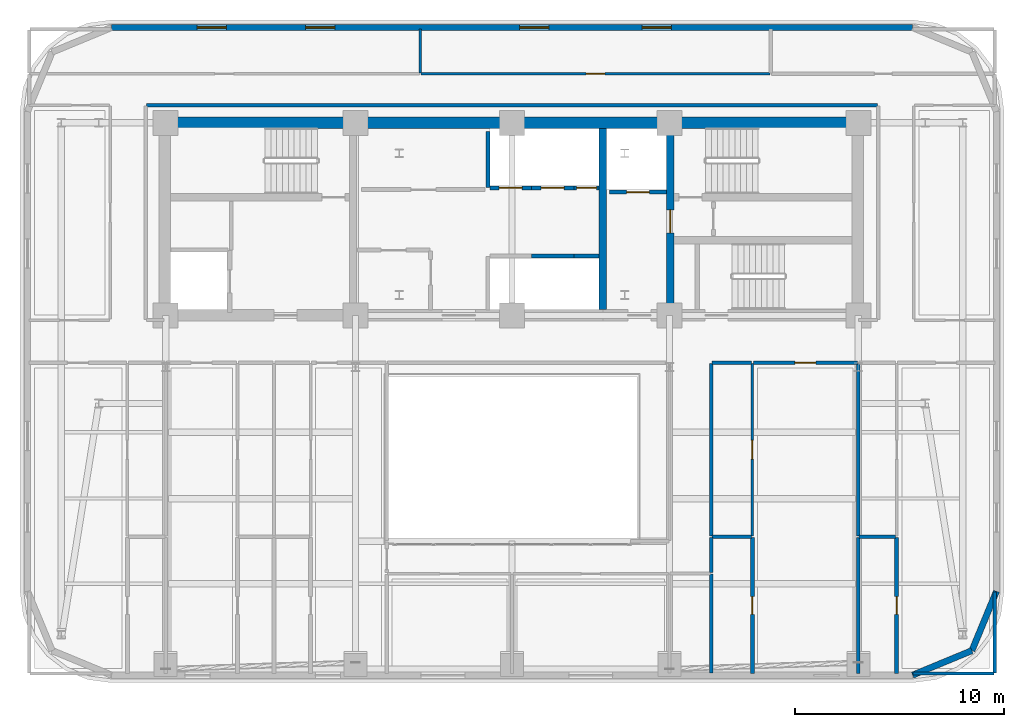
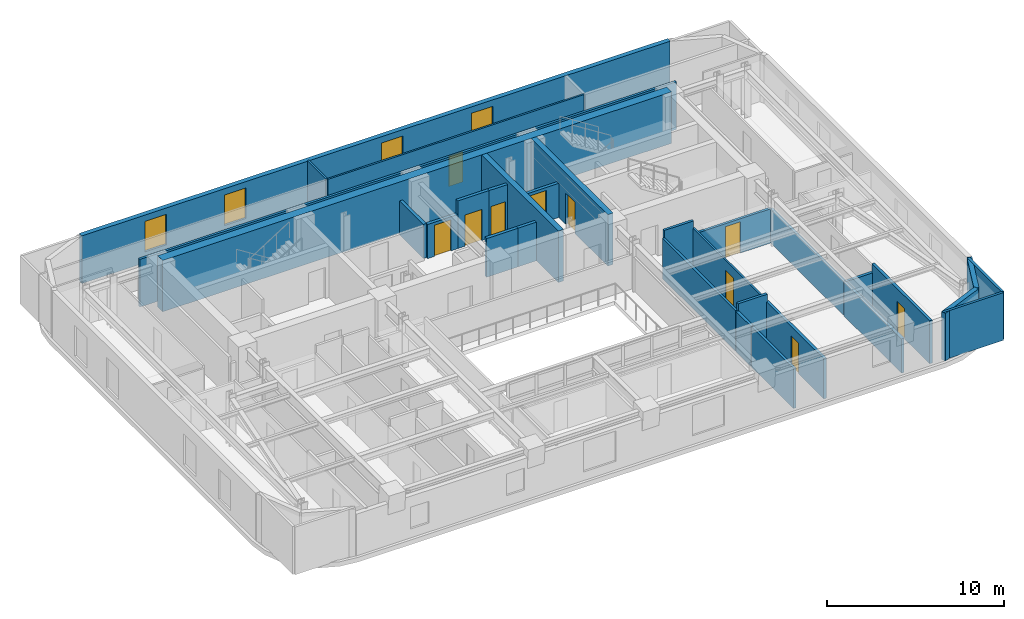
# One storey, part 7 of 12: 30 walls, 10 doors, 4 windows, 14 openings.
"""IFC4 building model written with IfcOpenShell, lengths in metres."""

from ifc_helpers import new_model, si_unit, direction, frame, frame_2d, origin, place, context, subcontext, project, spatial, rectangle, extrude, material, layer, layer_set, type_object, element, fill, save


model = new_model("IFC4")

# Units and contexts
model_context = context("Model", 3, precision=1e-05, world=origin(), true_north=direction((0.0, 1.0)))
body_context = subcontext(model_context, "Body", "Model", "MODEL_VIEW")
ifc_project = project(units=[si_unit("LENGTHUNIT", "METRE"), si_unit("AREAUNIT", "SQUARE_METRE"), si_unit("VOLUMEUNIT", "CUBIC_METRE"), si_unit("PLANEANGLEUNIT", "RADIAN"), si_unit("MASSUNIT", "GRAM", prefix="KILO")], contexts=[model_context])

# Site, building, storey
site_placement = place(None, origin())
site = spatial("IfcSite", under=ifc_project, at=site_placement, CompositionType="ELEMENT")
building_placement = place(site_placement, origin())
building = spatial("IfcBuilding", under=site, at=building_placement, Name="Zarnavel Station Tower", CompositionType="ELEMENT")
storey_placement = place(building_placement, frame((0.0, 0.0, 166.10009765625)))
storey = spatial("IfcBuildingStorey", under=building, at=storey_placement, Name="L45", CompositionType="ELEMENT", Elevation=166.10009765625)

# Wall
ifc_material_1 = material(Name="Concrete C50/60", Category="concrete")
ifc_layer_1 = layer(ifc_material_1, 0.35009765625)
ifc_layer_set_1 = layer_set([ifc_layer_1], Name="CW_350")
wall_type_1 = type_object("IfcWallType", Name="CW_350", PredefinedType="SHEAR", material=ifc_layer_set_1)
wall_1_placement = place(storey_placement, frame((33.14990234375, 28.094970703125, 0.0), z_axis=(0.0, 0.0, 1.0), x_axis=(0.0, 1.0, 0.0)))
element("IfcWall", 1, at=wall_1_placement, inside=storey, type_object=wall_type_1, Name="L45 Rear Core Shear Wall DIV-E", PredefinedType="SHEAR", context=body_context, shape_type="SweptSolid", body=[
    extrude(rectangle(XDim=8.679931640625, YDim=0.35009765625, at=frame_2d((4.33984375, 0.0))), origin(), (0.0, 0.0, 1.0), 3.5498046875),
])

# Wall, opening, door
wall_2_placement = place(storey_placement, frame((36.3798828125, 28.094970703125, 0.0), z_axis=(0.0, 0.0, 1.0), x_axis=(0.0, 1.0, 0.0)))
wall_2 = element("IfcWall", 2, at=wall_2_placement, inside=storey, type_object=wall_type_1, Name="L45 Rear Core Shear Wall DIV-S2", PredefinedType="SHEAR", context=body_context, shape_type="SweptSolid", body=[
    extrude(rectangle(XDim=8.679931640625, YDim=0.35009765625, at=frame_2d((4.33984375, 0.0))), origin(), (0.0, 0.0, 1.0), 3.5498046875),
])
opening_1_placement = place(wall_2_placement, frame((3.68505859375, 0.0, 0.0)))
opening_1 = element("IfcOpeningElement", 3, at=opening_1_placement, cuts=wall_2, Name="Opening FD01", PredefinedType="OPENING", context=body_context, shape_type="SweptSolid", body=[
    extrude(rectangle(XDim=1.10009765625, YDim=2.14990234375, at=frame_2d((0.550048828125, 1.074951171875))), frame((0.0, 0.18505859375, 0.0), z_axis=(0.0, -1.0, 0.0), x_axis=(1.0, 0.0, 0.0)), (0.0, 0.0, 1.0), 0.3701171875),
])
ifc_material_2 = material(Name="Painted Galvanised Steel and Hardwood Leaf", Category="steel")
door_type_1 = type_object("IfcDoorType", Name="ID_STAIR_1100", OperationType="NOTDEFINED", PredefinedType="DOOR", material=ifc_material_2)
door_1_placement = place(opening_1_placement, origin())
door_1 = element("IfcDoor", 4, at=door_1_placement, inside=storey, type_object=door_type_1, Name="L45 East Stair Vestibule Fire Door", OperationType="SINGLE_SWING_LEFT", OverallHeight=2.14990234375, OverallWidth=1.10009765625, PredefinedType="DOOR", context=body_context, shape_type="SweptSolid", body=[
    extrude(rectangle(XDim=1.10009765625, YDim=2.14990234375, at=frame_2d((0.550048828125, 1.074951171875))), frame((0.0, 0.02490234375, 0.0), z_axis=(0.0, -1.0, 0.0), x_axis=(1.0, 0.0, 0.0)), (0.0, 0.0, 1.0), 0.050048828125),
])
fill(opening_1, door_1)

# Walls
ifc_material_3 = material(Name="Concrete C50/60", Category="concrete")
ifc_layer_2 = layer(ifc_material_3, 0.550048828125)
ifc_layer_set_2 = layer_set([ifc_layer_2], Name="CW_550")
wall_type_2 = type_object("IfcWallType", Name="CW_550", PredefinedType="SHEAR", material=ifc_layer_set_2)
wall_3_placement = place(storey_placement, frame((12.14990234375, 37.050048828125, 0.0), z_axis=(0.0, 0.0, 1.0), x_axis=(1.0, 0.0, 0.0)))
element("IfcWall", 5, at=wall_3_placement, inside=storey, type_object=wall_type_2, Name="L45 Rear Core Shear Wall N", PredefinedType="SHEAR", context=body_context, shape_type="SweptSolid", body=[
    extrude(rectangle(XDim=33.22998046875, YDim=0.550048828125, at=frame_2d((16.614990234375, 0.0))), origin(), (0.0, 0.0, 1.0), 3.5498046875),
])
ifc_material_4 = material(Name="Precast concrete C45/55 (Dark Basalt Finish)", Category="masonry")
ifc_layer_3 = layer(ifc_material_4, 0.300048828125)
ifc_layer_set_3 = layer_set([ifc_layer_3], Name="EW_BASALT_300")
wall_type_3 = type_object("IfcWallType", Name="EW_BASALT_300", PredefinedType="SOLIDWALL", material=ifc_layer_set_3)
wall_4_placement = place(storey_placement, frame((50.842529296875, 11.75732421875, 0.0), z_axis=(0.0, 0.0, 1.0), x_axis=(-0.92389884758, -0.382636798336, 0.0)))
element("IfcWall", 6, at=wall_4_placement, inside=storey, type_object=wall_type_3, Name="L45 Exterior Basalt Masonry Frame Wall 01", PredefinedType="SOLIDWALL", context=body_context, shape_type="SweptSolid", body=[
    extrude(rectangle(XDim=3.07666015625, YDim=0.300048828125, at=frame_2d((1.538330078125, 0.0))), origin(), (0.0, 0.0, 1.0), 3.289794921875),
])
wall_5_placement = place(storey_placement, frame((52.02001953125, 14.60009765625, 0.0), z_axis=(0.0, 0.0, 1.0), x_axis=(-0.382676475685, -0.923882414032, 0.0)))
element("IfcWall", 7, at=wall_5_placement, inside=storey, type_object=wall_type_3, Name="L45 Exterior Basalt Masonry Frame Wall 02", PredefinedType="SOLIDWALL", context=body_context, shape_type="SweptSolid", body=[
    extrude(rectangle(XDim=3.076904296875, YDim=0.300048828125, at=frame_2d((1.53857421875, 0.0))), origin(), (0.0, 0.0, 1.0), 3.289794921875),
])

# Wall, openings, windows
wall_6_placement = place(storey_placement, frame((9.60009765625, 41.6201171875, 0.0), z_axis=(0.0, 0.0, 1.0), x_axis=(1.0, 0.0, 0.0)))
wall_6 = element("IfcWall", 8, at=wall_6_placement, inside=storey, type_object=wall_type_3, Name="L45 Exterior Basalt Masonry Frame Wall 06", PredefinedType="SOLIDWALL", context=body_context, shape_type="SweptSolid", body=[
    extrude(rectangle(XDim=38.39990234375, YDim=0.300048828125, at=frame_2d((19.199951171875, 0.0))), origin(), (0.0, 0.0, 1.0), 3.289794921875),
])
opening_2_placement = place(wall_6_placement, frame((4.11328125, 0.0, 0.75)))
opening_2 = element("IfcOpeningElement", 9, at=opening_2_placement, cuts=wall_6, Name="Opening WN04", PredefinedType="OPENING", context=body_context, shape_type="SweptSolid", body=[
    extrude(rectangle(XDim=1.39990234375, YDim=2.10009765625, at=frame_2d((0.699951171875, 1.050048828125))), frame((0.0, 0.159912109375, 0.0), z_axis=(0.0, -1.0, 0.0), x_axis=(1.0, 0.0, 0.0)), (0.0, 0.0, 1.0), 0.320068359375),
])
opening_3_placement = place(wall_6_placement, frame((9.306640625, 0.0, 0.75)))
opening_3 = element("IfcOpeningElement", 10, at=opening_3_placement, cuts=wall_6, Name="Opening WN04", PredefinedType="OPENING", context=body_context, shape_type="SweptSolid", body=[
    extrude(rectangle(XDim=1.39990234375, YDim=2.10009765625, at=frame_2d((0.699951171875, 1.050048828125))), frame((0.0, 0.159912109375, 0.0), z_axis=(0.0, -1.0, 0.0), x_axis=(1.0, 0.0, 0.0)), (0.0, 0.0, 1.0), 0.320068359375),
])
opening_4_placement = place(wall_6_placement, frame((19.566650390625, 0.0, 0.75)))
opening_4 = element("IfcOpeningElement", 11, at=opening_4_placement, cuts=wall_6, Name="Opening WN04", PredefinedType="OPENING", context=body_context, shape_type="SweptSolid", body=[
    extrude(rectangle(XDim=1.39990234375, YDim=2.10009765625, at=frame_2d((0.699951171875, 1.050048828125))), frame((0.0, 0.159912109375, 0.0), z_axis=(0.0, -1.0, 0.0), x_axis=(1.0, 0.0, 0.0)), (0.0, 0.0, 1.0), 0.320068359375),
])
opening_5_placement = place(wall_6_placement, frame((25.433349609375, 0.0, 0.75)))
opening_5 = element("IfcOpeningElement", 12, at=opening_5_placement, cuts=wall_6, Name="Opening WN04", PredefinedType="OPENING", context=body_context, shape_type="SweptSolid", body=[
    extrude(rectangle(XDim=1.39990234375, YDim=2.10009765625, at=frame_2d((0.699951171875, 1.050048828125))), frame((0.0, 0.159912109375, 0.0), z_axis=(0.0, -1.0, 0.0), x_axis=(1.0, 0.0, 0.0)), (0.0, 0.0, 1.0), 0.320068359375),
])
ifc_material_5 = material(Name="Thermally Broken Black Aluminium and Low-E Dark Glass", Category="aluminium")
window_type = type_object("IfcWindowType", Name="WN_1400x2100", PartitioningType="DOUBLE_PANEL_VERTICAL", PredefinedType="WINDOW", material=ifc_material_5)
window_1_placement = place(opening_2_placement, origin())
window_1 = element("IfcWindow", 13, at=window_1_placement, inside=storey, type_object=window_type, Name="L45 Recessed Facade Window 01", OverallHeight=2.10009765625, OverallWidth=1.39990234375, PartitioningType="SINGLE_PANEL", PredefinedType="WINDOW", context=body_context, shape_type="SweptSolid", body=[
    extrude(rectangle(XDim=1.39990234375, YDim=2.10009765625, at=frame_2d((0.699951171875, 1.050048828125))), frame((0.0, 0.030029296875, 0.0), z_axis=(0.0, -1.0, 0.0), x_axis=(1.0, 0.0, 0.0)), (0.0, 0.0, 1.0), 0.06005859375),
])
fill(opening_2, window_1)
window_2_placement = place(opening_3_placement, origin())
window_2 = element("IfcWindow", 14, at=window_2_placement, inside=storey, type_object=window_type, Name="L45 Recessed Facade Window 02", OverallHeight=2.10009765625, OverallWidth=1.39990234375, PartitioningType="SINGLE_PANEL", PredefinedType="WINDOW", context=body_context, shape_type="SweptSolid", body=[
    extrude(rectangle(XDim=1.39990234375, YDim=2.10009765625, at=frame_2d((0.699951171875, 1.050048828125))), frame((0.0, 0.030029296875, 0.0), z_axis=(0.0, -1.0, 0.0), x_axis=(1.0, 0.0, 0.0)), (0.0, 0.0, 1.0), 0.06005859375),
])
fill(opening_3, window_2)
window_3_placement = place(opening_4_placement, origin())
window_3 = element("IfcWindow", 15, at=window_3_placement, inside=storey, type_object=window_type, Name="L45 Recessed Facade Window 03", OverallHeight=2.10009765625, OverallWidth=1.39990234375, PartitioningType="SINGLE_PANEL", PredefinedType="WINDOW", context=body_context, shape_type="SweptSolid", body=[
    extrude(rectangle(XDim=1.39990234375, YDim=2.10009765625, at=frame_2d((0.699951171875, 1.050048828125))), frame((0.0, 0.030029296875, 0.0), z_axis=(0.0, -1.0, 0.0), x_axis=(1.0, 0.0, 0.0)), (0.0, 0.0, 1.0), 0.06005859375),
])
fill(opening_4, window_3)
window_4_placement = place(opening_5_placement, origin())
window_4 = element("IfcWindow", 16, at=window_4_placement, inside=storey, type_object=window_type, Name="L45 Recessed Facade Window 04", OverallHeight=2.10009765625, OverallWidth=1.39990234375, PartitioningType="SINGLE_PANEL", PredefinedType="WINDOW", context=body_context, shape_type="SweptSolid", body=[
    extrude(rectangle(XDim=1.39990234375, YDim=2.10009765625, at=frame_2d((0.699951171875, 1.050048828125))), frame((0.0, 0.030029296875, 0.0), z_axis=(0.0, -1.0, 0.0), x_axis=(1.0, 0.0, 0.0)), (0.0, 0.0, 1.0), 0.06005859375),
])
fill(opening_5, window_4)

# Wall, opening, door
ifc_material_6 = material(Name="Gypsum Twin-Stud Acoustic Fire Partition", Category="concrete")
ifc_layer_4 = layer(ifc_material_6, 0.159912109375)
ifc_layer_set_4 = layer_set([ifc_layer_4], Name="PT_DEMISE_160")
wall_type_4 = type_object("IfcWallType", Name="PT_DEMISE_160", PredefinedType="PARTITIONING", material=ifc_layer_set_4)
wall_7_placement = place(storey_placement, frame((40.364013671875, 25.550048828125, 0.0), z_axis=(0.0, 0.0, 1.0), x_axis=(1.0, 0.0, 0.0)))
wall_7 = element("IfcWall", 17, at=wall_7_placement, inside=storey, type_object=wall_type_4, Name="L45 Partition COR-S-HE1R", PredefinedType="PARTITIONING", context=body_context, shape_type="SweptSolid", body=[
    extrude(rectangle(XDim=4.99609375, YDim=0.159912109375, at=frame_2d((2.498046875, 0.0))), origin(), (0.0, 0.0, 1.0), 2.35986328125),
])
opening_6_placement = place(wall_7_placement, frame((1.998046875, 0.0, 0.0)))
opening_6 = element("IfcOpeningElement", 18, at=opening_6_placement, cuts=wall_7, Name="Opening FD02", PredefinedType="OPENING", context=body_context, shape_type="SweptSolid", body=[
    extrude(rectangle(XDim=1.0, YDim=2.14990234375, at=frame_2d((0.5, 1.074951171875))), frame((0.0, 0.08984375, 0.0), z_axis=(0.0, -1.0, 0.0), x_axis=(1.0, 0.0, 0.0)), (0.0, 0.0, 1.0), 0.179931640625),
])
ifc_material_7 = material(Name="Painted Galvanised Steel and Hardwood Leaf", Category="steel")
door_type_2 = type_object("IfcDoorType", Name="ID_ENTRY_1000", OperationType="NOTDEFINED", PredefinedType="DOOR", material=ifc_material_7)
door_2_placement = place(opening_6_placement, origin())
door_2 = element("IfcDoor", 19, at=door_2_placement, inside=storey, type_object=door_type_2, Name="L45 Door COR-S-HE1R", OperationType="SINGLE_SWING_RIGHT", OverallHeight=2.14990234375, OverallWidth=1.0, PredefinedType="DOOR", context=body_context, shape_type="SweptSolid", body=[
    extrude(rectangle(XDim=1.0, YDim=2.14990234375, at=frame_2d((0.5, 1.074951171875))), frame((0.0, 0.02490234375, 0.0), z_axis=(0.0, -1.0, 0.0), x_axis=(1.0, 0.0, 0.0)), (0.0, 0.0, 1.0), 0.050048828125),
])
fill(opening_6, door_2)

# Walls
wall_8_placement = place(storey_placement, frame((38.389892578125, 25.550048828125, 0.0), z_axis=(0.0, 0.0, 1.0), x_axis=(1.0, 0.0, 0.0)))
element("IfcWall", 20, at=wall_8_placement, inside=storey, type_object=wall_type_4, Name="L45 Partition COR-S-HE1S", PredefinedType="PARTITIONING", context=body_context, shape_type="SweptSolid", body=[
    extrude(rectangle(XDim=1.89404296875, YDim=0.159912109375, at=frame_2d((0.947021484375, 0.0))), origin(), (0.0, 0.0, 1.0), 3.289794921875),
])
wall_9_placement = place(storey_placement, frame((38.35009765625, 17.251953125, 0.0), z_axis=(0.0, 0.0, 1.0), x_axis=(0.0, 1.0, 0.0)))
element("IfcWall", 21, at=wall_9_placement, inside=storey, type_object=wall_type_4, Name="L45 Partition COR-AE-HE1S", PredefinedType="PARTITIONING", context=body_context, shape_type="SweptSolid", body=[
    extrude(rectangle(XDim=8.258056640625, YDim=0.159912109375, at=frame_2d((4.12890625, 0.0))), origin(), (0.0, 0.0, 1.0), 2.77978515625),
])
wall_10_placement = place(storey_placement, frame((45.39990234375, 17.251953125, 0.0), z_axis=(0.0, 0.0, 1.0), x_axis=(0.0, 1.0, 0.0)))
element("IfcWall", 22, at=wall_10_placement, inside=storey, type_object=wall_type_4, Name="L45 Partition HE1R-HE2S", PredefinedType="PARTITIONING", context=body_context, shape_type="SweptSolid", body=[
    extrude(rectangle(XDim=8.258056640625, YDim=0.159912109375, at=frame_2d((4.12890625, 0.0))), origin(), (0.0, 0.0, 1.0), 2.35986328125),
])
wall_11_placement = place(storey_placement, frame((11.280029296875, 37.89990234375, 0.0), z_axis=(0.0, 0.0, 1.0), x_axis=(1.0, 0.0, 0.0)))
element("IfcWall", 23, at=wall_11_placement, inside=storey, type_object=wall_type_4, Name="L45 Enclosure Wall COR-N", PredefinedType="PARTITIONING", context=body_context, shape_type="SweptSolid", body=[
    extrude(rectangle(XDim=35.0400390625, YDim=0.159912109375, at=frame_2d((17.52001953125, 0.0))), origin(), (0.0, 0.0, 1.0), 3.289794921875),
])
wall_12_placement = place(storey_placement, frame((38.35009765625, 10.68994140625, 0.0), z_axis=(0.0, 0.0, 1.0), x_axis=(0.0, 1.0, 0.0)))
element("IfcWall", 24, at=wall_12_placement, inside=storey, type_object=wall_type_4, Name="L45 Enclosure Wall HE1B", PredefinedType="PARTITIONING", context=body_context, shape_type="SweptSolid", body=[
    extrude(rectangle(XDim=4.72998046875, YDim=0.159912109375, at=frame_2d((2.364990234375, 0.0))), origin(), (0.0, 0.0, 1.0), 2.77978515625),
])
wall_13_placement = place(storey_placement, frame((48.030029296875, 10.659912109375, 0.0), z_axis=(0.0, 0.0, 1.0), x_axis=(1.0, 0.0, 0.0)))
element("IfcWall", 25, at=wall_13_placement, inside=storey, type_object=wall_type_4, Name="L45 Enclosure Wall HE2R", PredefinedType="PARTITIONING", context=body_context, shape_type="SweptSolid", body=[
    extrude(rectangle(XDim=3.8798828125, YDim=0.159912109375, at=frame_2d((1.93994140625, 0.0))), origin(), (0.0, 0.0, 1.0), 3.289794921875),
])
wall_14_placement = place(storey_placement, frame((51.93994140625, 10.68994140625, 0.0), z_axis=(0.0, 0.0, 1.0), x_axis=(0.0, 1.0, 0.0)))
element("IfcWall", 26, at=wall_14_placement, inside=storey, type_object=wall_type_4, Name="L45 Enclosure Wall HE2R", PredefinedType="PARTITIONING", context=body_context, shape_type="SweptSolid", body=[
    extrude(rectangle(XDim=3.880126953125, YDim=0.159912109375, at=frame_2d((1.93994140625, 0.0))), origin(), (0.0, 0.0, 1.0), 3.289794921875),
])

# Wall, opening, door
ifc_material_8 = material(Name="Gypsum Metal-Stud Interior Partition", Category="concrete")
ifc_layer_5 = layer(ifc_material_8, 0.1201171875)
ifc_layer_set_5 = layer_set([ifc_layer_5], Name="PT_ROOM_120")
wall_type_5 = type_object("IfcWallType", Name="PT_ROOM_120", PredefinedType="PARTITIONING", material=ifc_layer_set_5)
wall_15_placement = place(storey_placement, frame((24.43994140625, 39.39990234375, 0.0), z_axis=(0.0, 0.0, 1.0), x_axis=(1.0, 0.0, 0.0)))
wall_15 = element("IfcWall", 27, at=wall_15_placement, inside=storey, type_object=wall_type_5, Name="L45 Partition COR-N-NSPA", PredefinedType="PARTITIONING", context=body_context, shape_type="SweptSolid", body=[
    extrude(rectangle(XDim=16.719970703125, YDim=0.1201171875, at=frame_2d((8.35986328125, 0.0))), origin(), (0.0, 0.0, 1.0), 3.289794921875),
])
opening_7_placement = place(wall_15_placement, frame((7.909912109375, 0.0, 0.0)))
opening_7 = element("IfcOpeningElement", 28, at=opening_7_placement, cuts=wall_15, Name="Opening ID01", PredefinedType="OPENING", context=body_context, shape_type="SweptSolid", body=[
    extrude(rectangle(XDim=0.89990234375, YDim=2.10009765625, at=frame_2d((0.449951171875, 1.050048828125))), frame((0.0, 0.070068359375, 0.0), z_axis=(0.0, -1.0, 0.0), x_axis=(1.0, 0.0, 0.0)), (0.0, 0.0, 1.0), 0.14013671875),
])
ifc_material_9 = material(Name="Painted Galvanised Steel and Hardwood Leaf", Category="steel")
door_type_3 = type_object("IfcDoorType", Name="ID_ROOM_900", OperationType="NOTDEFINED", PredefinedType="DOOR", material=ifc_material_9)
door_3_placement = place(opening_7_placement, origin())
door_3 = element("IfcDoor", 29, at=door_3_placement, inside=storey, type_object=door_type_3, Name="L45 Door COR-N-NSPA", OperationType="SINGLE_SWING_LEFT", OverallHeight=2.10009765625, OverallWidth=0.89990234375, PredefinedType="DOOR", context=body_context, shape_type="SweptSolid", body=[
    extrude(rectangle(XDim=0.89990234375, YDim=2.10009765625, at=frame_2d((0.449951171875, 1.050048828125))), frame((0.0, 0.02490234375, 0.0), z_axis=(0.0, -1.0, 0.0), x_axis=(1.0, 0.0, 0.0)), (0.0, 0.0, 1.0), 0.050048828125),
])
fill(opening_7, door_3)

# Wall
wall_16_placement = place(storey_placement, frame((24.39990234375, 39.43994140625, 0.0), z_axis=(0.0, 0.0, 1.0), x_axis=(0.0, 1.0, 0.0)))
element("IfcWall", 30, at=wall_16_placement, inside=storey, type_object=wall_type_5, Name="L45 Partition NLIB-NSPA", PredefinedType="PARTITIONING", context=body_context, shape_type="SweptSolid", body=[
    extrude(rectangle(XDim=2.10009765625, YDim=0.1201171875, at=frame_2d((1.050048828125, 0.0))), origin(), (0.0, 0.0, 1.0), 3.289794921875),
])

# Wall, opening, door
wall_17_placement = place(storey_placement, frame((40.323974609375, 17.251953125, 0.0), z_axis=(0.0, 0.0, 1.0), x_axis=(0.0, 1.0, 0.0)))
wall_17 = element("IfcWall", 31, at=wall_17_placement, inside=storey, type_object=wall_type_5, Name="L45 Partition HE1R-HE1S", PredefinedType="PARTITIONING", context=body_context, shape_type="SweptSolid", body=[
    extrude(rectangle(XDim=8.258056640625, YDim=0.1201171875, at=frame_2d((4.12890625, 0.0))), origin(), (0.0, 0.0, 1.0), 2.77978515625),
])
opening_8_placement = place(wall_17_placement, frame((3.678955078125, 0.0, 0.0)))
opening_8 = element("IfcOpeningElement", 32, at=opening_8_placement, cuts=wall_17, Name="Opening ID01", PredefinedType="OPENING", context=body_context, shape_type="SweptSolid", body=[
    extrude(rectangle(XDim=0.89990234375, YDim=2.10009765625, at=frame_2d((0.449951171875, 1.050048828125))), frame((0.0, 0.070068359375, 0.0), z_axis=(0.0, -1.0, 0.0), x_axis=(1.0, 0.0, 0.0)), (0.0, 0.0, 1.0), 0.14013671875),
])
door_4_placement = place(opening_8_placement, origin())
door_4 = element("IfcDoor", 33, at=door_4_placement, inside=storey, type_object=door_type_3, Name="L45 Door HE1R-HE1S", OperationType="SINGLE_SWING_LEFT", OverallHeight=2.10009765625, OverallWidth=0.89990234375, PredefinedType="DOOR", context=body_context, shape_type="SweptSolid", body=[
    extrude(rectangle(XDim=0.89990234375, YDim=2.10009765625, at=frame_2d((0.449951171875, 1.050048828125))), frame((0.0, 0.02490234375, 0.0), z_axis=(0.0, -1.0, 0.0), x_axis=(1.0, 0.0, 0.0)), (0.0, 0.0, 1.0), 0.050048828125),
])
fill(opening_8, door_4)

ifc_material_10 = material(Name="Precast concrete C45/55 (Fire Shaft Blockwork)", Category="masonry")
ifc_layer_6 = layer(ifc_material_10, 0.199951171875)
ifc_layer_set_6 = layer_set([ifc_layer_6], Name="PT_SHAFT_200")
wall_type_6 = type_object("IfcWallType", Name="PT_SHAFT_200", PredefinedType="PARTITIONING", material=ifc_layer_set_6)
wall_18_placement = place(storey_placement, frame((33.47509765625, 33.72998046875, 0.0), z_axis=(0.0, 0.0, 1.0), x_axis=(1.0, 0.0, 0.0)))
wall_18 = element("IfcWall", 34, at=wall_18_placement, inside=storey, type_object=wall_type_6, Name="L45 Lift FFL-02 Shaft Front Wall", PredefinedType="PARTITIONING", context=body_context, shape_type="SweptSolid", body=[
    extrude(rectangle(XDim=2.724853515625, YDim=0.199951171875, at=frame_2d((1.3623046875, 0.0))), origin(), (0.0, 0.0, 1.0), 2.35986328125),
])
opening_9_placement = place(wall_18_placement, frame((0.8125, 0.0, 0.0)))
opening_9 = element("IfcOpeningElement", 35, at=opening_9_placement, cuts=wall_18, Name="Opening LD01", PredefinedType="OPENING", context=body_context, shape_type="SweptSolid", body=[
    extrude(rectangle(XDim=1.10009765625, YDim=2.14990234375, at=frame_2d((0.550048828125, 1.074951171875))), frame((0.0, 0.10986328125, 0.0), z_axis=(0.0, -1.0, 0.0), x_axis=(1.0, 0.0, 0.0)), (0.0, 0.0, 1.0), 0.219970703125),
])
ifc_material_11 = material(Name="Painted Galvanised Steel and Hardwood Leaf", Category="steel")
door_type_4 = type_object("IfcDoorType", Name="LD_FF_1100", OperationType="DOUBLE_DOOR_SLIDING", PredefinedType="DOOR", material=ifc_material_11)
door_5_placement = place(opening_9_placement, origin())
door_5 = element("IfcDoor", 36, at=door_5_placement, inside=storey, type_object=door_type_4, Name="L45 Lift FFL-02 Sliding Landing Door", OperationType="DOUBLE_DOOR_SLIDING", OverallHeight=2.14990234375, OverallWidth=1.10009765625, PredefinedType="DOOR", context=body_context, shape_type="SweptSolid", body=[
    extrude(rectangle(XDim=1.10009765625, YDim=2.14990234375, at=frame_2d((0.550048828125, 1.074951171875))), frame((0.0, 0.02490234375, 0.0), z_axis=(0.0, -1.0, 0.0), x_axis=(1.0, 0.0, 0.0)), (0.0, 0.0, 1.0), 0.050048828125),
])
fill(opening_9, door_5)

# Walls
wall_19_placement = place(storey_placement, frame((29.72509765625, 30.669921875, 0.0), z_axis=(0.0, 0.0, 1.0), x_axis=(1.0, 0.0, 0.0)))
element("IfcWall", 37, at=wall_19_placement, inside=storey, type_object=wall_type_6, Name="L45 Lift PL-H2 Shaft Front Wall", PredefinedType="PARTITIONING", context=body_context, shape_type="SweptSolid", body=[
    extrude(rectangle(XDim=2.0498046875, YDim=0.199951171875, at=frame_2d((1.02490234375, 0.0))), origin(), (0.0, 0.0, 1.0), 2.669921875),
])
wall_20_placement = place(storey_placement, frame((31.77490234375, 30.669921875, 0.0), z_axis=(0.0, 0.0, 1.0), x_axis=(1.0, 0.0, 0.0)))
element("IfcWall", 38, at=wall_20_placement, inside=storey, type_object=wall_type_6, Name="L45 Lift PL-H3 Shaft Front Wall", PredefinedType="PARTITIONING", context=body_context, shape_type="SweptSolid", body=[
    extrude(rectangle(XDim=1.2001953125, YDim=0.199951171875, at=frame_2d((0.60009765625, 0.0))), origin(), (0.0, 0.0, 1.0), 2.669921875),
])

# Wall, opening, door
wall_21_placement = place(storey_placement, frame((27.75, 33.929931640625, 0.0), z_axis=(0.0, 0.0, 1.0), x_axis=(1.0, 0.0, 0.0)))
wall_21 = element("IfcWall", 39, at=wall_21_placement, inside=storey, type_object=wall_type_6, Name="L45 Lift PL-M1 Shaft Front Wall", PredefinedType="PARTITIONING", context=body_context, shape_type="SweptSolid", body=[
    extrude(rectangle(XDim=1.97509765625, YDim=0.199951171875, at=frame_2d((0.987548828125, 0.0))), origin(), (0.0, 0.0, 1.0), 2.35986328125),
])
opening_10_placement = place(wall_21_placement, frame((0.4375, 0.0, 0.0)))
opening_10 = element("IfcOpeningElement", 40, at=opening_10_placement, cuts=wall_21, Name="Opening LD02", PredefinedType="OPENING", context=body_context, shape_type="SweptSolid", body=[
    extrude(rectangle(XDim=1.10009765625, YDim=2.14990234375, at=frame_2d((0.550048828125, 1.074951171875))), frame((0.0, 0.10986328125, 0.0), z_axis=(0.0, -1.0, 0.0), x_axis=(1.0, 0.0, 0.0)), (0.0, 0.0, 1.0), 0.219970703125),
])
ifc_material_12 = material(Name="Painted Galvanised Steel and Hardwood Leaf", Category="steel")
door_type_5 = type_object("IfcDoorType", Name="LD_PAX_1100", OperationType="DOUBLE_DOOR_SLIDING", PredefinedType="DOOR", material=ifc_material_12)
door_6_placement = place(opening_10_placement, origin())
door_6 = element("IfcDoor", 41, at=door_6_placement, inside=storey, type_object=door_type_5, Name="L45 Lift PL-M1 Sliding Landing Door", OperationType="DOUBLE_DOOR_SLIDING", OverallHeight=2.14990234375, OverallWidth=1.10009765625, PredefinedType="DOOR", context=body_context, shape_type="SweptSolid", body=[
    extrude(rectangle(XDim=1.10009765625, YDim=2.14990234375, at=frame_2d((0.550048828125, 1.074951171875))), frame((0.0, 0.02490234375, 0.0), z_axis=(0.0, -1.0, 0.0), x_axis=(1.0, 0.0, 0.0)), (0.0, 0.0, 1.0), 0.050048828125),
])
fill(opening_10, door_6)

# Wall
wall_22_placement = place(storey_placement, frame((27.64990234375, 33.949951171875, 0.0), z_axis=(0.0, 0.0, 1.0), x_axis=(0.0, 1.0, 0.0)))
element("IfcWall", 42, at=wall_22_placement, inside=storey, type_object=wall_type_6, Name="L45 Mid-Rise Lift Bank West Shaft Wall", PredefinedType="PARTITIONING", context=body_context, shape_type="SweptSolid", body=[
    extrude(rectangle(XDim=2.679931640625, YDim=0.199951171875, at=frame_2d((1.33984375, 0.0))), origin(), (0.0, 0.0, 1.0), 2.35986328125),
])

# Wall, opening, door
wall_23_placement = place(storey_placement, frame((29.72509765625, 33.929931640625, 0.0), z_axis=(0.0, 0.0, 1.0), x_axis=(1.0, 0.0, 0.0)))
wall_23 = element("IfcWall", 43, at=wall_23_placement, inside=storey, type_object=wall_type_6, Name="L45 Lift PL-M2 Shaft Front Wall", PredefinedType="PARTITIONING", context=body_context, shape_type="SweptSolid", body=[
    extrude(rectangle(XDim=2.0498046875, YDim=0.199951171875, at=frame_2d((1.02490234375, 0.0))), origin(), (0.0, 0.0, 1.0), 3.289794921875),
])
opening_11_placement = place(wall_23_placement, frame((0.47509765625, 0.0, 0.0)))
opening_11 = element("IfcOpeningElement", 44, at=opening_11_placement, cuts=wall_23, Name="Opening LD02", PredefinedType="OPENING", context=body_context, shape_type="SweptSolid", body=[
    extrude(rectangle(XDim=1.10009765625, YDim=2.14990234375, at=frame_2d((0.550048828125, 1.074951171875))), frame((0.0, 0.10986328125, 0.0), z_axis=(0.0, -1.0, 0.0), x_axis=(1.0, 0.0, 0.0)), (0.0, 0.0, 1.0), 0.219970703125),
])
door_7_placement = place(opening_11_placement, origin())
door_7 = element("IfcDoor", 45, at=door_7_placement, inside=storey, type_object=door_type_5, Name="L45 Lift PL-M2 Sliding Landing Door", OperationType="DOUBLE_DOOR_SLIDING", OverallHeight=2.14990234375, OverallWidth=1.10009765625, PredefinedType="DOOR", context=body_context, shape_type="SweptSolid", body=[
    extrude(rectangle(XDim=1.10009765625, YDim=2.14990234375, at=frame_2d((0.550048828125, 1.074951171875))), frame((0.0, 0.02490234375, 0.0), z_axis=(0.0, -1.0, 0.0), x_axis=(1.0, 0.0, 0.0)), (0.0, 0.0, 1.0), 0.050048828125),
])
fill(opening_11, door_7)

wall_24_placement = place(storey_placement, frame((31.77490234375, 33.929931640625, 0.0), z_axis=(0.0, 0.0, 1.0), x_axis=(1.0, 0.0, 0.0)))
wall_24 = element("IfcWall", 46, at=wall_24_placement, inside=storey, type_object=wall_type_6, Name="L45 Lift PL-M3 Shaft Front Wall", PredefinedType="PARTITIONING", context=body_context, shape_type="SweptSolid", body=[
    extrude(rectangle(XDim=1.2001953125, YDim=0.199951171875, at=frame_2d((0.60009765625, 0.0))), origin(), (0.0, 0.0, 1.0), 3.289794921875),
])
opening_12_placement = place(wall_24_placement, frame((0.125, 0.0, 0.0)))
opening_12 = element("IfcOpeningElement", 47, at=opening_12_placement, cuts=wall_24, Name="Opening LD03", PredefinedType="OPENING", context=body_context, shape_type="SweptSolid", body=[
    extrude(rectangle(XDim=0.949951171875, YDim=2.14990234375, at=frame_2d((0.47509765625, 1.074951171875))), frame((0.0, 0.10986328125, 0.0), z_axis=(0.0, -1.0, 0.0), x_axis=(1.0, 0.0, 0.0)), (0.0, 0.0, 1.0), 0.219970703125),
])
ifc_material_13 = material(Name="Painted Galvanised Steel and Hardwood Leaf", Category="steel")
door_type_6 = type_object("IfcDoorType", Name="LD_PAX_0950", OperationType="DOUBLE_DOOR_SLIDING", PredefinedType="DOOR", material=ifc_material_13)
door_8_placement = place(opening_12_placement, origin())
door_8 = element("IfcDoor", 48, at=door_8_placement, inside=storey, type_object=door_type_6, Name="L45 Lift PL-M3 Sliding Landing Door", OperationType="DOUBLE_DOOR_SLIDING", OverallHeight=2.14990234375, OverallWidth=0.949951171875, PredefinedType="DOOR", context=body_context, shape_type="SweptSolid", body=[
    extrude(rectangle(XDim=0.949951171875, YDim=2.14990234375, at=frame_2d((0.47509765625, 1.074951171875))), frame((0.0, 0.02490234375, 0.0), z_axis=(0.0, -1.0, 0.0), x_axis=(1.0, 0.0, 0.0)), (0.0, 0.0, 1.0), 0.050048828125),
])
fill(opening_12, door_8)

# Wall
ifc_material_14 = material(Name="Moisture-Resistant Plumbing Chase Wall", Category="concrete")
ifc_layer_7 = layer(ifc_material_14, 0.179931640625)
ifc_layer_set_7 = layer_set([ifc_layer_7], Name="PW_PLUMB_180")
wall_type_7 = type_object("IfcWallType", Name="PW_PLUMB_180", PredefinedType="PLUMBINGWALL", material=ifc_layer_set_7)
wall_25_placement = place(storey_placement, frame((38.35009765625, 15.489990234375, 0.0), z_axis=(0.0, 0.0, 1.0), x_axis=(0.0, 1.0, 0.0)))
element("IfcWall", 49, at=wall_25_placement, inside=storey, type_object=wall_type_7, Name="L45 Partition COR-AE-HE1B", PredefinedType="PLUMBINGWALL", context=body_context, shape_type="SweptSolid", body=[
    extrude(rectangle(XDim=1.68212890625, YDim=0.179931640625, at=frame_2d((0.841064453125, 0.0))), origin(), (0.0, 0.0, 1.0), 2.77978515625),
])

# Wall, opening, door
wall_26_placement = place(storey_placement, frame((40.323974609375, 10.659912109375, 0.0), z_axis=(0.0, 0.0, 1.0), x_axis=(0.0, 1.0, 0.0)))
wall_26 = element("IfcWall", 50, at=wall_26_placement, inside=storey, type_object=wall_type_7, Name="L45 Partition HE1R-HE1B", PredefinedType="PLUMBINGWALL", context=body_context, shape_type="SweptSolid", body=[
    extrude(rectangle(XDim=6.51220703125, YDim=0.179931640625, at=frame_2d((3.256103515625, 0.0))), origin(), (0.0, 0.0, 1.0), 2.77978515625),
])
opening_13_placement = place(wall_26_placement, frame((2.8310546875, 0.0, 0.0)))
opening_13 = element("IfcOpeningElement", 51, at=opening_13_placement, cuts=wall_26, Name="Opening ID02", PredefinedType="OPENING", context=body_context, shape_type="SweptSolid", body=[
    extrude(rectangle(XDim=0.85009765625, YDim=2.10009765625, at=frame_2d((0.425048828125, 1.050048828125))), frame((0.0, 0.099853515625, 0.0), z_axis=(0.0, -1.0, 0.0), x_axis=(1.0, 0.0, 0.0)), (0.0, 0.0, 1.0), 0.199951171875),
])
ifc_material_15 = material(Name="Painted Galvanised Steel and Hardwood Leaf", Category="steel")
door_type_7 = type_object("IfcDoorType", Name="ID_BATH_850", OperationType="NOTDEFINED", PredefinedType="DOOR", material=ifc_material_15)
door_9_placement = place(opening_13_placement, origin())
door_9 = element("IfcDoor", 52, at=door_9_placement, inside=storey, type_object=door_type_7, Name="L45 Door HE1R-HE1B", OperationType="SINGLE_SWING_RIGHT", OverallHeight=2.10009765625, OverallWidth=0.85009765625, PredefinedType="DOOR", context=body_context, shape_type="SweptSolid", body=[
    extrude(rectangle(XDim=0.85009765625, YDim=2.10009765625, at=frame_2d((0.425048828125, 1.050048828125))), frame((0.0, 0.02490234375, 0.0), z_axis=(0.0, -1.0, 0.0), x_axis=(1.0, 0.0, 0.0)), (0.0, 0.0, 1.0), 0.050048828125),
])
fill(opening_13, door_9)

# Walls
wall_27_placement = place(storey_placement, frame((45.39990234375, 10.659912109375, 0.0), z_axis=(0.0, 0.0, 1.0), x_axis=(0.0, 1.0, 0.0)))
element("IfcWall", 53, at=wall_27_placement, inside=storey, type_object=wall_type_7, Name="L45 Partition HE1R-HE2B", PredefinedType="PLUMBINGWALL", context=body_context, shape_type="SweptSolid", body=[
    extrude(rectangle(XDim=6.51220703125, YDim=0.179931640625, at=frame_2d((3.256103515625, 0.0))), origin(), (0.0, 0.0, 1.0), 2.35986328125),
])
wall_28_placement = place(storey_placement, frame((38.389892578125, 17.2119140625, 0.0), z_axis=(0.0, 0.0, 1.0), x_axis=(1.0, 0.0, 0.0)))
element("IfcWall", 54, at=wall_28_placement, inside=storey, type_object=wall_type_7, Name="L45 Partition HE1B-HE1S", PredefinedType="PLUMBINGWALL", context=body_context, shape_type="SweptSolid", body=[
    extrude(rectangle(XDim=1.89404296875, YDim=0.179931640625, at=frame_2d((0.947021484375, 0.0))), origin(), (0.0, 0.0, 1.0), 3.289794921875),
])

# Wall, opening, door
wall_29_placement = place(storey_placement, frame((47.23095703125, 10.659912109375, 0.0), z_axis=(0.0, 0.0, 1.0), x_axis=(0.0, 1.0, 0.0)))
wall_29 = element("IfcWall", 55, at=wall_29_placement, inside=storey, type_object=wall_type_7, Name="L45 Partition HE2R-HE2B", PredefinedType="PLUMBINGWALL", context=body_context, shape_type="SweptSolid", body=[
    extrude(rectangle(XDim=6.51220703125, YDim=0.179931640625, at=frame_2d((3.256103515625, 0.0))), origin(), (0.0, 0.0, 1.0), 2.969970703125),
])
opening_14_placement = place(wall_29_placement, frame((2.8310546875, 0.0, 0.0)))
opening_14 = element("IfcOpeningElement", 56, at=opening_14_placement, cuts=wall_29, Name="Opening ID02", PredefinedType="OPENING", context=body_context, shape_type="SweptSolid", body=[
    extrude(rectangle(XDim=0.85009765625, YDim=2.10009765625, at=frame_2d((0.425048828125, 1.050048828125))), frame((0.0, 0.099853515625, 0.0), z_axis=(0.0, -1.0, 0.0), x_axis=(1.0, 0.0, 0.0)), (0.0, 0.0, 1.0), 0.199951171875),
])
door_10_placement = place(opening_14_placement, origin())
door_10 = element("IfcDoor", 57, at=door_10_placement, inside=storey, type_object=door_type_7, Name="L45 Door HE2R-HE2B", OperationType="SINGLE_SWING_RIGHT", OverallHeight=2.10009765625, OverallWidth=0.85009765625, PredefinedType="DOOR", context=body_context, shape_type="SweptSolid", body=[
    extrude(rectangle(XDim=0.85009765625, YDim=2.10009765625, at=frame_2d((0.425048828125, 1.050048828125))), frame((0.0, 0.02490234375, 0.0), z_axis=(0.0, -1.0, 0.0), x_axis=(1.0, 0.0, 0.0)), (0.0, 0.0, 1.0), 0.050048828125),
])
fill(opening_14, door_10)

# Wall
wall_30_placement = place(storey_placement, frame((45.43994140625, 17.2119140625, 0.0), z_axis=(0.0, 0.0, 1.0), x_axis=(1.0, 0.0, 0.0)))
element("IfcWall", 58, at=wall_30_placement, inside=storey, type_object=wall_type_7, Name="L45 Partition HE2B-HE2S", PredefinedType="PLUMBINGWALL", context=body_context, shape_type="SweptSolid", body=[
    extrude(rectangle(XDim=1.7509765625, YDim=0.179931640625, at=frame_2d((0.87548828125, 0.0))), origin(), (0.0, 0.0, 1.0), 2.35986328125),
])

save(model, "model.ifc")
